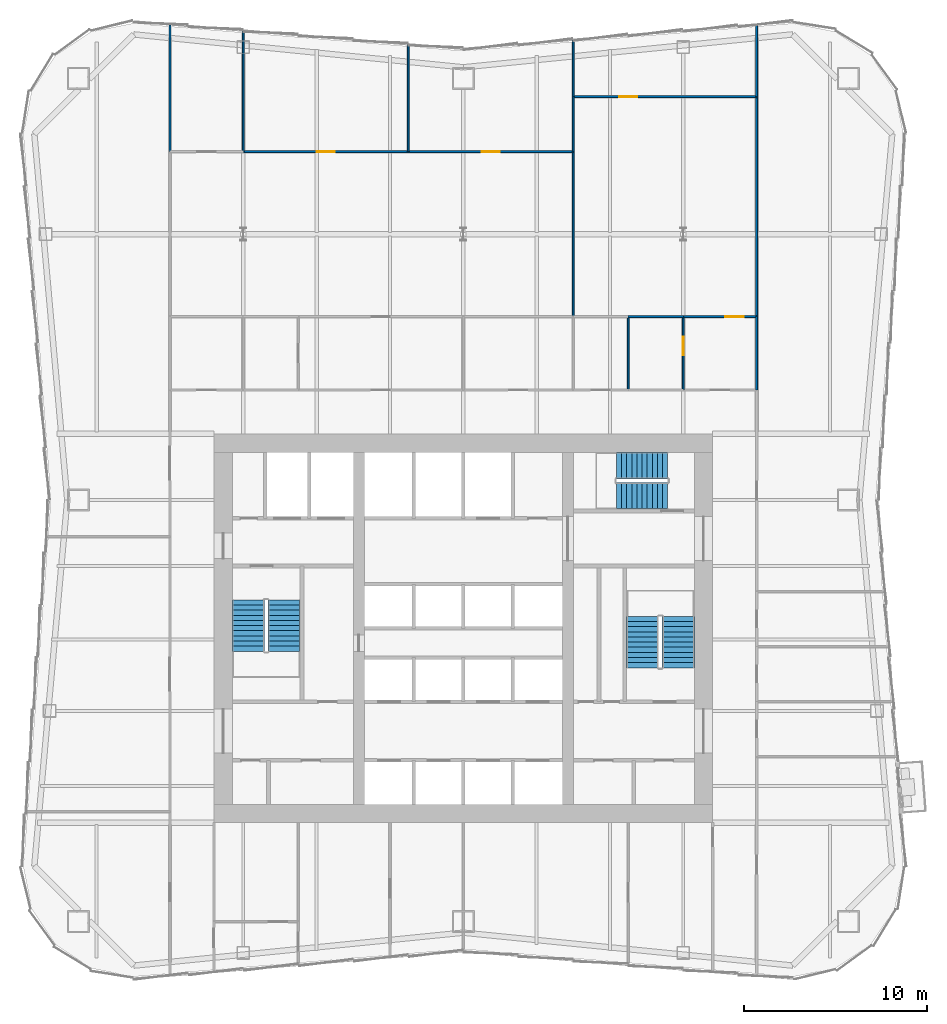
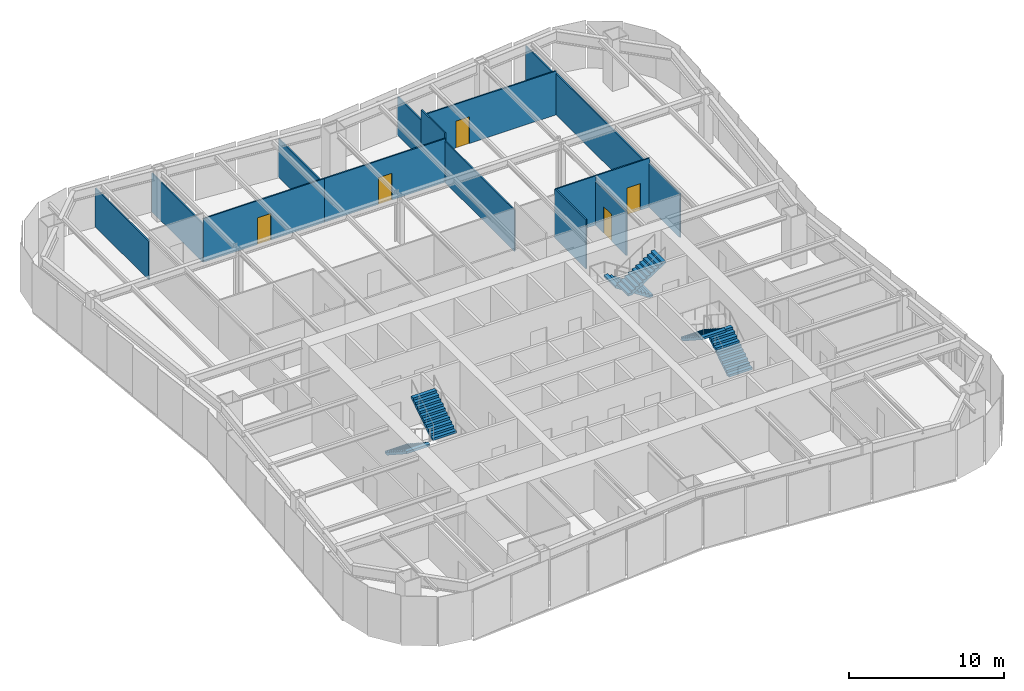
# One storey, part 7 of 9: 16 walls, 6 stair flights, 5 doors, 5 openings, 3 elements without a shape of their own.
"""IFC4 building model written with IfcOpenShell, lengths in metres."""

import ifcopenshell
import ifcopenshell.guid

model = None  # the IFC model being written
_history = None  # IfcOwnerHistory: only IFC2X3 demands one
_inside = {}  # id of a spatial element -> (the spatial element, [elements in it])
_under = {}  # id of a project, library or spatial element -> (it, [spatial elements below it])
_declared = {}  # id of a project -> (the project, [libraries it declares])
_typed = {}  # id of a type object -> (the type object, [elements of that type])
_made_of = {}  # id of a material, layer set ... -> (it, [elements and type objects made of it])


def new_model(schema):
    """Start an empty IFC model of exactly this schema.

    Asked for "IFC4X3", IfcOpenShell would pick the latest addendum, in which some entities
    have other attributes; the version numbers below select the first issue.
    IFC2X3 requires an IfcOwnerHistory on every rooted entity: one is made here for all.
    """
    global model, _history
    if schema == "IFC4X3":
        model = ifcopenshell.file(schema_version=(4, 3, 0, 0))
    else:
        model = ifcopenshell.file(schema=schema)
    _inside.clear()
    _under.clear()
    _declared.clear()
    _typed.clear()
    _made_of.clear()
    _history = None
    if model.schema == "IFC2X3":
        org = make("IfcOrganization", Name="unknown")
        user = make(
            "IfcPersonAndOrganization",
            ThePerson=make("IfcPerson", FamilyName="unknown"),
            TheOrganization=org,
        )
        app = make(
            "IfcApplication",
            ApplicationDeveloper=org,
            Version="unknown",
            ApplicationFullName="unknown",
            ApplicationIdentifier="unknown",
        )
        _history = make(
            "IfcOwnerHistory",
            OwningUser=user,
            OwningApplication=app,
            ChangeAction="ADDED",
            CreationDate=0,
        )
    return model


def make(cls, **values):
    """One entity of the class cls with the attributes given. An attribute that is None is left unset."""
    return model.create_entity(
        cls, **{name: value for name, value in values.items() if value is not None}
    )


def rooted(cls, **values):
    """An entity with a GlobalId (a new one), such as an element, a storey or a relation."""
    return make(cls, GlobalId=ifcopenshell.guid.new(), OwnerHistory=_history, **values)


def si_unit(unit_type, name, prefix=None):
    """IfcSIUnit, for example si_unit("LENGTHUNIT", "METRE", prefix="MILLI")."""
    return make("IfcSIUnit", UnitType=unit_type, Prefix=prefix, Name=name)


def assignment(units):
    """IfcUnitAssignment: the units of a project."""
    return None if units is None else make("IfcUnitAssignment", Units=units)


def point(xyz):
    """IfcCartesianPoint."""
    return None if xyz is None else make("IfcCartesianPoint", Coordinates=xyz)


def direction(xyz):
    """IfcDirection."""
    return None if xyz is None else make("IfcDirection", DirectionRatios=xyz)


def frame(location, z_axis=None, x_axis=None):
    """IfcAxis2Placement3D, a coordinate frame: its origin and axes. An axis left out is left unset."""
    return make(
        "IfcAxis2Placement3D",
        Location=point(location),
        Axis=direction(z_axis),
        RefDirection=direction(x_axis),
    )


def frame_2d(location, x_axis=None):
    """IfcAxis2Placement2D, a coordinate frame in the plane: its origin and x axis."""
    return make(
        "IfcAxis2Placement2D", Location=point(location), RefDirection=direction(x_axis)
    )


def origin():
    """The frame at (0, 0, 0) with its axes left unset."""
    return frame((0.0, 0.0, 0.0))


def place(relative_to, where):
    """IfcLocalPlacement: puts the frame where relative to a parent placement (None: the world)."""
    return make(
        "IfcLocalPlacement", PlacementRelTo=relative_to, RelativePlacement=where
    )


def context(
    kind, dimensions, precision=None, world=None, true_north=None, identifier=None
):
    """IfcGeometricRepresentationContext, for example the 3D "Model" context."""
    return make(
        "IfcGeometricRepresentationContext",
        ContextIdentifier=identifier,
        ContextType=kind,
        CoordinateSpaceDimension=dimensions,
        Precision=precision,
        WorldCoordinateSystem=world,
        TrueNorth=true_north,
    )


def subcontext(parent, identifier, kind, view, scale=None):
    """IfcGeometricRepresentationSubContext, for example "Body" below "Model"."""
    return make(
        "IfcGeometricRepresentationSubContext",
        ContextIdentifier=identifier,
        ContextType=kind,
        ParentContext=parent,
        TargetScale=scale,
        TargetView=view,
    )


def project(units=None, contexts=None):
    """IfcProject with its units and contexts."""
    return rooted(
        "IfcProject",
        Name="project",
        RepresentationContexts=contexts,
        UnitsInContext=assignment(units),
    )


def spatial(cls, under=None, at=None, **own):
    """A site, building, storey or space (cls), placed at a placement, below another one or the project."""
    s = rooted(cls, ObjectPlacement=at, **own)
    if under is not None:
        _under.setdefault(under.id(), (under, []))[1].append(s)
    return s


def polyline(points):
    """IfcPolyline through the points."""
    return make("IfcPolyline", Points=[point(p) for p in points])


def profile(cls, at=None, kind="AREA", **sizes):
    """A parametric profile (cls). Its sizes go by their IFC names, for example OverallWidth=200.0."""
    return make(cls, ProfileType=kind, Position=at, **sizes)


def rectangle(**sizes):
    """IfcRectangleProfileDef."""
    return profile("IfcRectangleProfileDef", **sizes)


def outline(outer, holes=None, kind="AREA"):
    """IfcArbitraryClosedProfileDef: a profile drawn as a closed curve; with holes, ...WithVoids."""
    if holes is None:
        return make("IfcArbitraryClosedProfileDef", ProfileType=kind, OuterCurve=outer)
    return make(
        "IfcArbitraryProfileDefWithVoids",
        ProfileType=kind,
        OuterCurve=outer,
        InnerCurves=holes,
    )


def extrude(swept, where, along, depth):
    """IfcExtrudedAreaSolid: the profile swept, set in the frame where, extruded along a direction by depth."""
    return make(
        "IfcExtrudedAreaSolid",
        SweptArea=swept,
        Position=where,
        ExtrudedDirection=direction(along),
        Depth=depth,
    )


def shape(context_of_items, identifier, shape_type, items):
    """IfcShapeRepresentation: the items that make up one representation, for example the "Body"."""
    return make(
        "IfcShapeRepresentation",
        ContextOfItems=context_of_items,
        RepresentationIdentifier=identifier,
        RepresentationType=shape_type,
        Items=items,
    )


def material(Name=None, Category=None):
    """IfcMaterial."""
    return make("IfcMaterial", Name=Name, Category=Category)


def layer(
    of_material, thickness, ventilated=None, Name=None, Category=None, Priority=None
):
    """IfcMaterialLayer: one layer of a wall or slab, of a material (None: an air gap)."""
    return make(
        "IfcMaterialLayer",
        Material=of_material,
        LayerThickness=thickness,
        IsVentilated=ventilated,
        Name=Name,
        Category=Category,
        Priority=Priority,
    )


def layer_set(layers, Name=None):
    """IfcMaterialLayerSet."""
    return make("IfcMaterialLayerSet", MaterialLayers=layers, LayerSetName=Name)


def made_of(thing, what):
    """Note that an element or type object is made of a material, layer set ...; save() writes the relation."""
    if what is not None:
        _made_of.setdefault(what.id(), (what, []))[1].append(thing)
    return thing


def type_object(cls, material=None, **own):
    """A type object (cls), such as IfcWallType, which elements share."""
    return made_of(rooted(cls, **own), material)


def element(
    cls,
    number,
    at=None,
    inside=None,
    cuts=None,
    type_object=None,
    material=None,
    context=None,
    identifier="Body",
    shape_type=None,
    held_by="IfcProductDefinitionShape",
    body=None,
    shapes=None,
    **own,
):
    """One element of the class cls, such as IfcWall. Its Tag is "e" and its number.

    at: its placement. inside: the storey or other place that contains it. cuts: it is an
    opening in that element (IfcRelVoidsElement). A single representation is given by context,
    identifier, shape_type and body (its items); several are given by shapes. held_by: the class
    of the entity that holds the representations. save() writes the other relations.
    """
    e = rooted(cls, Tag="e%d" % number, ObjectPlacement=at, **own)
    if body is not None:
        shapes = [shape(context, identifier, shape_type, body)]
    if shapes is not None:
        e.Representation = make(held_by, Representations=shapes)
    if inside is not None:
        _inside.setdefault(inside.id(), (inside, []))[1].append(e)
    if cuts is not None:
        rooted(
            "IfcRelVoidsElement", RelatingBuildingElement=cuts, RelatedOpeningElement=e
        )
    if type_object is not None:
        _typed.setdefault(type_object.id(), (type_object, []))[1].append(e)
    return made_of(e, material)


def fill(opening, filler):
    """IfcRelFillsElement: the door or window that sits in an opening."""
    return rooted(
        "IfcRelFillsElement",
        RelatingOpeningElement=opening,
        RelatedBuildingElement=filler,
    )


def aggregate(whole, parts):
    """IfcRelAggregates: a whole, such as a stair, and the parts it consists of."""
    return rooted("IfcRelAggregates", RelatingObject=whole, RelatedObjects=parts)


def save(model, path):
    """Write the relations noted so far, then the file.

    IfcRelAggregates (storeys below a building ...), IfcRelContainedInSpatialStructure (elements
    in a storey), IfcRelDefinesByType, IfcRelAssociatesMaterial and IfcRelDeclares: one each for
    every whole, place, type object, material and project.
    """
    for whole, parts in _under.values():
        aggregate(whole, parts)
    for where, things in _inside.values():
        rooted(
            "IfcRelContainedInSpatialStructure",
            RelatedElements=things,
            RelatingStructure=where,
        )
    for kind, things in _typed.values():
        rooted("IfcRelDefinesByType", RelatedObjects=things, RelatingType=kind)
    for what, things in _made_of.values():
        rooted("IfcRelAssociatesMaterial", RelatedObjects=things, RelatingMaterial=what)
    for by, libraries in _declared.values():
        rooted("IfcRelDeclares", RelatingContext=by, RelatedDefinitions=libraries)
    model.write(path)


model = new_model("IFC4")

# Units and contexts
model_context = context("Model", 3, precision=1e-05, world=origin(), true_north=direction((0.0, 1.0)))
body_context = subcontext(model_context, "Body", "Model", "MODEL_VIEW")
ifc_project = project(units=[si_unit("LENGTHUNIT", "METRE"), si_unit("AREAUNIT", "SQUARE_METRE"), si_unit("VOLUMEUNIT", "CUBIC_METRE"), si_unit("PLANEANGLEUNIT", "RADIAN"), si_unit("MASSUNIT", "GRAM", prefix="KILO")], contexts=[model_context])

# Site, building, storey
site_placement = place(None, origin())
site = spatial("IfcSite", under=ifc_project, at=site_placement, CompositionType="ELEMENT")
building_placement = place(site_placement, origin())
building = spatial("IfcBuilding", under=site, at=building_placement, Name="Verdant Reach Tower", CompositionType="ELEMENT")
storey_placement = place(building_placement, frame((0.0, 0.0, 142.0)))
storey = spatial("IfcBuildingStorey", under=building, at=storey_placement, Name="L32", CompositionType="ELEMENT", Elevation=142.0)

# Walls
ifc_material_1 = material(Name="Gypsum board on steel studs", Category="steel")
ifc_layer = layer(ifc_material_1, 0.10009765625)
ifc_layer_set = layer_set([ifc_layer], Name="FL-W1 Partition 100")
wall_type = type_object("IfcWallType", Name="FL-W1 Partition 100", PredefinedType="PARTITIONING", material=ifc_layer_set)
wall_1_placement = place(storey_placement, frame((-16.0, 54.0, 0.0), z_axis=(0.0, 0.0, 1.0), x_axis=(0.0, 1.0, 0.0)))
element("IfcWall", 1, at=wall_1_placement, inside=storey, type_object=wall_type, Name="Partition 32.23", PredefinedType="PARTITIONING", context=body_context, shape_type="SweptSolid", body=[
    extrude(rectangle(XDim=6.913330078125, YDim=0.10009765625, at=frame_2d((3.45654296875, 0.0))), origin(), (0.0, 0.0, 1.0), 3.0400390625),
])
wall_2_placement = place(storey_placement, frame((16.0, 45.0, 0.0), z_axis=(0.0, 0.0, 1.0), x_axis=(0.0, -1.0, 0.0)))
element("IfcWall", 2, at=wall_2_placement, inside=storey, type_object=wall_type, Name="Partition 32.28", PredefinedType="PARTITIONING", context=body_context, shape_type="SweptSolid", body=[
    extrude(rectangle(XDim=4.0, YDim=0.10009765625, at=frame_2d((2.0, 0.0))), origin(), (0.0, 0.0, 1.0), 3.43994140625),
])
wall_3_placement = place(storey_placement, frame((16.0, 57.0, 0.0), z_axis=(0.0, 0.0, 1.0), x_axis=(0.0, -1.0, 0.0)))
element("IfcWall", 3, at=wall_3_placement, inside=storey, type_object=wall_type, Name="Partition 32.29", PredefinedType="PARTITIONING", context=body_context, shape_type="SweptSolid", body=[
    extrude(rectangle(XDim=12.0, YDim=0.10009765625, at=frame_2d((6.0, 0.0))), origin(), (0.0, 0.0, 1.0), 3.239990234375),
])
wall_4_placement = place(storey_placement, frame((16.0, 60.913330078125, 0.0), z_axis=(0.0, 0.0, 1.0), x_axis=(0.0, -1.0, 0.0)))
element("IfcWall", 4, at=wall_4_placement, inside=storey, type_object=wall_type, Name="Partition 32.30", PredefinedType="PARTITIONING", context=body_context, shape_type="SweptSolid", body=[
    extrude(rectangle(XDim=3.913330078125, YDim=0.10009765625, at=frame_2d((1.95654296875, 0.0))), origin(), (0.0, 0.0, 1.0), 3.0400390625),
])

# Wall, opening, door
wall_5_placement = place(storey_placement, frame((-12.0, 54.0, 0.0), z_axis=(0.0, 0.0, 1.0), x_axis=(1.0, 0.0, 0.0)))
wall_5 = element("IfcWall", 5, at=wall_5_placement, inside=storey, type_object=wall_type, Name="Partition 32.46", PredefinedType="PARTITIONING", context=body_context, shape_type="SweptSolid", body=[
    extrude(rectangle(XDim=9.0, YDim=0.10009765625, at=frame_2d((4.5, 0.0))), origin(), (0.0, 0.0, 1.0), 3.43994140625),
])
opening_1_placement = place(wall_5_placement, frame((4.0, 0.0, 0.0)))
opening_1 = element("IfcOpeningElement", 6, at=opening_1_placement, cuts=wall_5, Name="Opening D3", PredefinedType="OPENING", context=body_context, shape_type="SweptSolid", body=[
    extrude(rectangle(XDim=1.0, YDim=2.10009765625, at=frame_2d((0.5, 1.050048828125))), frame((0.0, 0.06005859375, 0.0), z_axis=(0.0, -1.0, 0.0), x_axis=(1.0, 0.0, 0.0)), (0.0, 0.0, 1.0), 0.1201171875),
])
ifc_material_2 = material(Name="Painted timber door leaf", Category="wood")
door_type = type_object("IfcDoorType", Name="FL-D3 Door 1000x2100", OperationType="NOTDEFINED", PredefinedType="DOOR", material=ifc_material_2)
door_1_placement = place(opening_1_placement, origin())
door_1 = element("IfcDoor", 7, at=door_1_placement, inside=storey, type_object=door_type, Name="Door 32-023", OperationType="SINGLE_SWING_LEFT", OverallHeight=2.10009765625, OverallWidth=1.0, PredefinedType="DOOR", context=body_context, shape_type="SweptSolid", body=[
    extrude(rectangle(XDim=1.0, YDim=2.10009765625, at=frame_2d((0.5, 1.050048828125))), frame((0.0, 0.02490234375, 0.0), z_axis=(0.0, -1.0, 0.0), x_axis=(1.0, 0.0, 0.0)), (0.0, 0.0, 1.0), 0.050048828125),
])
fill(opening_1, door_1)

wall_6_placement = place(storey_placement, frame((-3.0, 54.0, 0.0), z_axis=(0.0, 0.0, 1.0), x_axis=(1.0, 0.0, 0.0)))
wall_6 = element("IfcWall", 8, at=wall_6_placement, inside=storey, type_object=wall_type, Name="Partition 32.47", PredefinedType="PARTITIONING", context=body_context, shape_type="SweptSolid", body=[
    extrude(rectangle(XDim=9.0, YDim=0.10009765625, at=frame_2d((4.5, 0.0))), origin(), (0.0, 0.0, 1.0), 3.43994140625),
])
opening_2_placement = place(wall_6_placement, frame((4.0, 0.0, 0.0)))
opening_2 = element("IfcOpeningElement", 9, at=opening_2_placement, cuts=wall_6, Name="Opening D3", PredefinedType="OPENING", context=body_context, shape_type="SweptSolid", body=[
    extrude(rectangle(XDim=1.0, YDim=2.10009765625, at=frame_2d((0.5, 1.050048828125))), frame((0.0, 0.06005859375, 0.0), z_axis=(0.0, -1.0, 0.0), x_axis=(1.0, 0.0, 0.0)), (0.0, 0.0, 1.0), 0.1201171875),
])
door_2_placement = place(opening_2_placement, origin())
door_2 = element("IfcDoor", 10, at=door_2_placement, inside=storey, type_object=door_type, Name="Door 32-024", OperationType="SINGLE_SWING_RIGHT", OverallHeight=2.10009765625, OverallWidth=1.0, PredefinedType="DOOR", context=body_context, shape_type="SweptSolid", body=[
    extrude(rectangle(XDim=1.0, YDim=2.10009765625, at=frame_2d((0.5, 1.050048828125))), frame((0.0, 0.02490234375, 0.0), z_axis=(0.0, -1.0, 0.0), x_axis=(1.0, 0.0, 0.0)), (0.0, 0.0, 1.0), 0.050048828125),
])
fill(opening_2, door_2)

# Walls
wall_7_placement = place(storey_placement, frame((6.0, 45.0, 0.0), z_axis=(0.0, 0.0, 1.0), x_axis=(0.0, 1.0, 0.0)))
element("IfcWall", 11, at=wall_7_placement, inside=storey, type_object=wall_type, Name="Partition 32.48", PredefinedType="PARTITIONING", context=body_context, shape_type="SweptSolid", body=[
    extrude(rectangle(XDim=9.00390625, YDim=0.10009765625, at=frame_2d((4.501953125, 0.0))), origin(), (0.0, 0.0, 1.0), 3.239990234375),
])
wall_8_placement = place(storey_placement, frame((-12.0, 54.0, 0.0), z_axis=(0.0, 0.0, 1.0), x_axis=(0.0, 1.0, 0.0)))
element("IfcWall", 12, at=wall_8_placement, inside=storey, type_object=wall_type, Name="Partition 32.49", PredefinedType="PARTITIONING", context=body_context, shape_type="SweptSolid", body=[
    extrude(rectangle(XDim=6.580078125, YDim=0.10009765625, at=frame_2d((3.2900390625, 0.0))), origin(), (0.0, 0.0, 1.0), 3.0400390625),
])
wall_9_placement = place(storey_placement, frame((-3.0, 54.0, 0.0), z_axis=(0.0, 0.0, 1.0), x_axis=(0.0, 1.0, 0.0)))
element("IfcWall", 13, at=wall_9_placement, inside=storey, type_object=wall_type, Name="Partition 32.50", PredefinedType="PARTITIONING", context=body_context, shape_type="SweptSolid", body=[
    extrude(rectangle(XDim=5.830078125, YDim=0.10009765625, at=frame_2d((2.9150390625, 0.0))), origin(), (0.0, 0.0, 1.0), 3.0400390625),
])
wall_10_placement = place(storey_placement, frame((6.0, 53.99609375, 0.0), z_axis=(0.0, 0.0, 1.0), x_axis=(0.0, 1.0, 0.0)))
element("IfcWall", 14, at=wall_10_placement, inside=storey, type_object=wall_type, Name="Partition 32.51", PredefinedType="PARTITIONING", context=body_context, shape_type="SweptSolid", body=[
    extrude(rectangle(XDim=3.00390625, YDim=0.10009765625, at=frame_2d((1.501953125, 0.0))), origin(), (0.0, 0.0, 1.0), 3.8701171875),
])
wall_11_placement = place(storey_placement, frame((6.0, 57.0, 0.0), z_axis=(0.0, 0.0, 1.0), x_axis=(0.0, 1.0, 0.0)))
element("IfcWall", 15, at=wall_11_placement, inside=storey, type_object=wall_type, Name="Partition 32.52", PredefinedType="PARTITIONING", context=body_context, shape_type="SweptSolid", body=[
    extrude(rectangle(XDim=3.080078125, YDim=0.10009765625, at=frame_2d((1.5400390625, 0.0))), origin(), (0.0, 0.0, 1.0), 3.0400390625),
])
wall_12_placement = place(storey_placement, frame((9.0, 41.0, 0.0), z_axis=(0.0, 0.0, 1.0), x_axis=(0.0, 1.0, 0.0)))
element("IfcWall", 16, at=wall_12_placement, inside=storey, type_object=wall_type, Name="Partition 32.53", PredefinedType="PARTITIONING", context=body_context, shape_type="SweptSolid", body=[
    extrude(rectangle(XDim=4.0, YDim=0.10009765625, at=frame_2d((2.0, 0.0))), origin(), (0.0, 0.0, 1.0), 3.8701171875),
])

# Wall, opening, door
wall_13_placement = place(storey_placement, frame((12.0, 41.0, 0.0), z_axis=(0.0, 0.0, 1.0), x_axis=(0.0, 1.0, 0.0)))
wall_13 = element("IfcWall", 17, at=wall_13_placement, inside=storey, type_object=wall_type, Name="Partition 32.55", PredefinedType="PARTITIONING", context=body_context, shape_type="SweptSolid", body=[
    extrude(rectangle(XDim=4.0, YDim=0.10009765625, at=frame_2d((2.0, 0.0))), origin(), (0.0, 0.0, 1.0), 3.43994140625),
])
opening_3_placement = place(wall_13_placement, frame((1.89990234375, 0.0, 0.0)))
opening_3 = element("IfcOpeningElement", 18, at=opening_3_placement, cuts=wall_13, Name="Opening D3", PredefinedType="OPENING", context=body_context, shape_type="SweptSolid", body=[
    extrude(rectangle(XDim=1.0, YDim=2.10009765625, at=frame_2d((0.5, 1.050048828125))), frame((0.0, 0.06005859375, 0.0), z_axis=(0.0, -1.0, 0.0), x_axis=(1.0, 0.0, 0.0)), (0.0, 0.0, 1.0), 0.1201171875),
])
door_3_placement = place(opening_3_placement, origin())
door_3 = element("IfcDoor", 19, at=door_3_placement, inside=storey, type_object=door_type, Name="Door 32-025", OperationType="SINGLE_SWING_RIGHT", OverallHeight=2.10009765625, OverallWidth=1.0, PredefinedType="DOOR", context=body_context, shape_type="SweptSolid", body=[
    extrude(rectangle(XDim=1.0, YDim=2.10009765625, at=frame_2d((0.5, 1.050048828125))), frame((0.0, 0.02490234375, 0.0), z_axis=(0.0, -1.0, 0.0), x_axis=(1.0, 0.0, 0.0)), (0.0, 0.0, 1.0), 0.050048828125),
])
fill(opening_3, door_3)

# Wall
wall_14_placement = place(storey_placement, frame((12.00390625, 45.0, 0.0), z_axis=(0.0, 0.0, 1.0), x_axis=(-1.0, 0.0, 0.0)))
element("IfcWall", 20, at=wall_14_placement, inside=storey, type_object=wall_type, Name="Partition 32.56", PredefinedType="PARTITIONING", context=body_context, shape_type="SweptSolid", body=[
    extrude(rectangle(XDim=3.0078125, YDim=0.10009765625, at=frame_2d((1.50390625, 0.0))), origin(), (0.0, 0.0, 1.0), 3.8701171875),
])

# Wall, opening, door
wall_15_placement = place(storey_placement, frame((11.99609375, 45.0, 0.0), z_axis=(0.0, 0.0, 1.0), x_axis=(1.0, 0.0, 0.0)))
wall_15 = element("IfcWall", 21, at=wall_15_placement, inside=storey, type_object=wall_type, Name="Partition 32.57", PredefinedType="PARTITIONING", context=body_context, shape_type="SweptSolid", body=[
    extrude(rectangle(XDim=4.00390625, YDim=0.10009765625, at=frame_2d((2.001953125, 0.0))), origin(), (0.0, 0.0, 1.0), 3.8701171875),
])
opening_4_placement = place(wall_15_placement, frame((2.302001953125, 0.0, 0.0)))
opening_4 = element("IfcOpeningElement", 22, at=opening_4_placement, cuts=wall_15, Name="Opening D3", PredefinedType="OPENING", context=body_context, shape_type="SweptSolid", body=[
    extrude(rectangle(XDim=1.0, YDim=2.10009765625, at=frame_2d((0.5, 1.050048828125))), frame((0.0, 0.06005859375, 0.0), z_axis=(0.0, -1.0, 0.0), x_axis=(1.0, 0.0, 0.0)), (0.0, 0.0, 1.0), 0.1201171875),
])
door_4_placement = place(opening_4_placement, origin())
door_4 = element("IfcDoor", 23, at=door_4_placement, inside=storey, type_object=door_type, Name="Door 32-026", OperationType="SINGLE_SWING_RIGHT", OverallHeight=2.10009765625, OverallWidth=1.0, PredefinedType="DOOR", context=body_context, shape_type="SweptSolid", body=[
    extrude(rectangle(XDim=1.0, YDim=2.10009765625, at=frame_2d((0.5, 1.050048828125))), frame((0.0, 0.02490234375, 0.0), z_axis=(0.0, -1.0, 0.0), x_axis=(1.0, 0.0, 0.0)), (0.0, 0.0, 1.0), 0.050048828125),
])
fill(opening_4, door_4)

wall_16_placement = place(storey_placement, frame((6.0, 57.0, 0.0), z_axis=(0.0, 0.0, 1.0), x_axis=(1.0, 0.0, 0.0)))
wall_16 = element("IfcWall", 24, at=wall_16_placement, inside=storey, type_object=wall_type, Name="Partition 32.58", PredefinedType="PARTITIONING", context=body_context, shape_type="SweptSolid", body=[
    extrude(rectangle(XDim=10.0, YDim=0.10009765625, at=frame_2d((5.0, 0.0))), origin(), (0.0, 0.0, 1.0), 3.43994140625),
])
opening_5_placement = place(wall_16_placement, frame((2.5, 0.0, 0.0)))
opening_5 = element("IfcOpeningElement", 25, at=opening_5_placement, cuts=wall_16, Name="Opening D3", PredefinedType="OPENING", context=body_context, shape_type="SweptSolid", body=[
    extrude(rectangle(XDim=1.0, YDim=2.10009765625, at=frame_2d((0.5, 1.050048828125))), frame((0.0, 0.06005859375, 0.0), z_axis=(0.0, -1.0, 0.0), x_axis=(1.0, 0.0, 0.0)), (0.0, 0.0, 1.0), 0.1201171875),
])
door_5_placement = place(opening_5_placement, origin())
door_5 = element("IfcDoor", 26, at=door_5_placement, inside=storey, type_object=door_type, Name="Door 32-027", OperationType="SINGLE_SWING_LEFT", OverallHeight=2.10009765625, OverallWidth=1.0, PredefinedType="DOOR", context=body_context, shape_type="SweptSolid", body=[
    extrude(rectangle(XDim=1.0, YDim=2.10009765625, at=frame_2d((0.5, 1.050048828125))), frame((0.0, 0.02490234375, 0.0), z_axis=(0.0, -1.0, 0.0), x_axis=(1.0, 0.0, 0.0)), (0.0, 0.0, 1.0), 0.050048828125),
])
fill(opening_5, door_5)

# Stair, stair flights
ifc_material_3 = material(Name="Concrete C40/50", Category="concrete")
stair_type = type_object("IfcStairType", Name="CO-STAIR", PredefinedType="HALF_TURN_STAIR", material=ifc_material_3)
stair_1_placement = place(storey_placement, origin())
stair_1 = element("IfcStair", 27, at=stair_1_placement, inside=storey, type_object=stair_type, Name="L32 Exit stair 1", PredefinedType="HALF_TURN_STAIR")
stair_flight_type = type_object("IfcStairFlightType", Name="CO-STAIR-FLIGHT", PredefinedType="STRAIGHT", material=ifc_material_3)
stair_flight_1_placement = place(storey_placement, frame((-11.72509765625, 29.550048828125, 0.0), z_axis=(0.0, 0.0, 1.0), x_axis=(0.0, -1.0, 0.0)))
stair_flight_1 = element("IfcStairFlight", 28, at=stair_flight_1_placement, type_object=stair_flight_type, Name="ST-1 flight 1", NumberOfRisers=11, NumberOfTreads=10, PredefinedType="STRAIGHT", RiserHeight=0.181818182, TreadLength=0.28, context=body_context, shape_type="SweptSolid", body=[
    extrude(outline(polyline([(0.0, 0.0), (0.0, 0.181884765625), (0.280029296875, 0.181884765625), (0.280029296875, 0.363525390625), (0.56005859375, 0.363525390625), (0.56005859375, 0.54541015625), (0.840087890625, 0.54541015625), (0.840087890625, 0.727294921875), (1.1201171875, 0.727294921875), (1.1201171875, 0.9091796875), (1.39990234375, 0.9091796875), (1.39990234375, 1.0908203125), (1.679931640625, 1.0908203125), (1.679931640625, 1.272705078125), (1.9599609375, 1.272705078125), (1.9599609375, 1.45458984375), (2.239990234375, 1.45458984375), (2.239990234375, 1.636474609375), (2.52001953125, 1.636474609375), (2.52001953125, 1.818115234375), (2.800048828125, 1.818115234375), (2.800048828125, 2.0), (2.800048828125, 1.639404296875), (0.275146484375, 0.0), (0.0, 0.0)])), frame((0.0, 0.875, 0.0), z_axis=(0.0, -1.0, 0.0), x_axis=(1.0, 0.0, 0.0)), (0.0, 0.0, 1.0), 1.75),
])
stair_flight_2_placement = place(storey_placement, frame((-9.77490234375, 26.75, 2.0), z_axis=(0.0, 0.0, 1.0), x_axis=(0.0, 1.0, 0.0)))
stair_flight_2 = element("IfcStairFlight", 29, at=stair_flight_2_placement, type_object=stair_flight_type, Name="ST-1 flight 2", NumberOfRisers=11, NumberOfTreads=10, PredefinedType="STRAIGHT", RiserHeight=0.181818182, TreadLength=0.28, context=body_context, shape_type="SweptSolid", body=[
    extrude(outline(polyline([(0.0, 0.0), (0.0, 0.181884765625), (0.280029296875, 0.181884765625), (0.280029296875, 0.363525390625), (0.56005859375, 0.363525390625), (0.56005859375, 0.54541015625), (0.840087890625, 0.54541015625), (0.840087890625, 0.727294921875), (1.1201171875, 0.727294921875), (1.1201171875, 0.9091796875), (1.39990234375, 0.9091796875), (1.39990234375, 1.0908203125), (1.679931640625, 1.0908203125), (1.679931640625, 1.272705078125), (1.9599609375, 1.272705078125), (1.9599609375, 1.45458984375), (2.239990234375, 1.45458984375), (2.239990234375, 1.636474609375), (2.52001953125, 1.636474609375), (2.52001953125, 1.818115234375), (2.800048828125, 1.818115234375), (2.800048828125, 2.0), (2.800048828125, 1.639404296875), (0.275146484375, 0.0), (0.0, 0.0)])), frame((0.0, 0.875, 0.0), z_axis=(0.0, -1.0, 0.0), x_axis=(1.0, 0.0, 0.0)), (0.0, 0.0, 1.0), 1.75),
])
aggregate(stair_1, [stair_flight_1, stair_flight_2])

stair_2_placement = place(storey_placement, origin())
stair_2 = element("IfcStair", 30, at=stair_2_placement, inside=storey, type_object=stair_type, Name="L32 Exit stair 2", PredefinedType="HALF_TURN_STAIR")
stair_flight_3_placement = place(storey_placement, frame((11.72509765625, 25.85009765625, 0.0), z_axis=(0.0, 0.0, 1.0), x_axis=(0.0, 1.0, 0.0)))
stair_flight_3 = element("IfcStairFlight", 31, at=stair_flight_3_placement, type_object=stair_flight_type, Name="ST-2 flight 1", NumberOfRisers=11, NumberOfTreads=10, PredefinedType="STRAIGHT", RiserHeight=0.181818182, TreadLength=0.28, context=body_context, shape_type="SweptSolid", body=[
    extrude(outline(polyline([(0.0, 0.0), (0.0, 0.181884765625), (0.280029296875, 0.181884765625), (0.280029296875, 0.363525390625), (0.56005859375, 0.363525390625), (0.56005859375, 0.54541015625), (0.840087890625, 0.54541015625), (0.840087890625, 0.727294921875), (1.1201171875, 0.727294921875), (1.1201171875, 0.9091796875), (1.39990234375, 0.9091796875), (1.39990234375, 1.0908203125), (1.679931640625, 1.0908203125), (1.679931640625, 1.272705078125), (1.9599609375, 1.272705078125), (1.9599609375, 1.45458984375), (2.239990234375, 1.45458984375), (2.239990234375, 1.636474609375), (2.52001953125, 1.636474609375), (2.52001953125, 1.818115234375), (2.800048828125, 1.818115234375), (2.800048828125, 2.0), (2.800048828125, 1.639404296875), (0.275146484375, 0.0), (0.0, 0.0)])), frame((0.0, 0.875, 0.0), z_axis=(0.0, -1.0, 0.0), x_axis=(1.0, 0.0, 0.0)), (0.0, 0.0, 1.0), 1.75),
])
stair_flight_4_placement = place(storey_placement, frame((9.77490234375, 28.64990234375, 2.0), z_axis=(0.0, 0.0, 1.0), x_axis=(0.0, -1.0, 0.0)))
stair_flight_4 = element("IfcStairFlight", 32, at=stair_flight_4_placement, type_object=stair_flight_type, Name="ST-2 flight 2", NumberOfRisers=11, NumberOfTreads=10, PredefinedType="STRAIGHT", RiserHeight=0.181818182, TreadLength=0.28, context=body_context, shape_type="SweptSolid", body=[
    extrude(outline(polyline([(0.0, 0.0), (0.0, 0.181884765625), (0.280029296875, 0.181884765625), (0.280029296875, 0.363525390625), (0.56005859375, 0.363525390625), (0.56005859375, 0.54541015625), (0.840087890625, 0.54541015625), (0.840087890625, 0.727294921875), (1.1201171875, 0.727294921875), (1.1201171875, 0.9091796875), (1.39990234375, 0.9091796875), (1.39990234375, 1.0908203125), (1.679931640625, 1.0908203125), (1.679931640625, 1.272705078125), (1.9599609375, 1.272705078125), (1.9599609375, 1.45458984375), (2.239990234375, 1.45458984375), (2.239990234375, 1.636474609375), (2.52001953125, 1.636474609375), (2.52001953125, 1.818115234375), (2.800048828125, 1.818115234375), (2.800048828125, 2.0), (2.800048828125, 1.639404296875), (0.275146484375, 0.0), (0.0, 0.0)])), frame((0.0, 0.875, 0.0), z_axis=(0.0, -1.0, 0.0), x_axis=(1.0, 0.0, 0.0)), (0.0, 0.0, 1.0), 1.75),
])
aggregate(stair_2, [stair_flight_3, stair_flight_4])

stair_3_placement = place(storey_placement, origin())
stair_3 = element("IfcStair", 33, at=stair_3_placement, inside=storey, type_object=stair_type, Name="L32 Exit stair 3", PredefinedType="HALF_TURN_STAIR")
stair_flight_5_placement = place(storey_placement, frame((11.14990234375, 36.875, 0.0), z_axis=(0.0, 0.0, 1.0), x_axis=(-1.0, 0.0, 0.0)))
stair_flight_5 = element("IfcStairFlight", 34, at=stair_flight_5_placement, type_object=stair_flight_type, Name="ST-3 flight 1", NumberOfRisers=11, NumberOfTreads=10, PredefinedType="STRAIGHT", RiserHeight=0.181818182, TreadLength=0.28, context=body_context, shape_type="SweptSolid", body=[
    extrude(outline(polyline([(0.0, 0.0), (0.0, 0.181884765625), (0.280029296875, 0.181884765625), (0.280029296875, 0.363525390625), (0.56005859375, 0.363525390625), (0.56005859375, 0.54541015625), (0.840087890625, 0.54541015625), (0.840087890625, 0.727294921875), (1.1201171875, 0.727294921875), (1.1201171875, 0.9091796875), (1.39990234375, 0.9091796875), (1.39990234375, 1.0908203125), (1.679931640625, 1.0908203125), (1.679931640625, 1.272705078125), (1.9599609375, 1.272705078125), (1.9599609375, 1.45458984375), (2.239990234375, 1.45458984375), (2.239990234375, 1.636474609375), (2.52001953125, 1.636474609375), (2.52001953125, 1.818115234375), (2.800048828125, 1.818115234375), (2.800048828125, 2.0), (2.800048828125, 1.639404296875), (0.275146484375, 0.0), (0.0, 0.0)])), frame((0.0, 0.72509765625, 0.0), z_axis=(0.0, -1.0, 0.0), x_axis=(1.0, 0.0, 0.0)), (0.0, 0.0, 1.0), 1.449951171875),
])
stair_flight_6_placement = place(storey_placement, frame((8.35009765625, 35.22509765625, 2.0), z_axis=(0.0, 0.0, 1.0), x_axis=(1.0, 0.0, 0.0)))
stair_flight_6 = element("IfcStairFlight", 35, at=stair_flight_6_placement, type_object=stair_flight_type, Name="ST-3 flight 2", NumberOfRisers=11, NumberOfTreads=10, PredefinedType="STRAIGHT", RiserHeight=0.181818182, TreadLength=0.28, context=body_context, shape_type="SweptSolid", body=[
    extrude(outline(polyline([(0.0, 0.0), (0.0, 0.181884765625), (0.280029296875, 0.181884765625), (0.280029296875, 0.363525390625), (0.56005859375, 0.363525390625), (0.56005859375, 0.54541015625), (0.840087890625, 0.54541015625), (0.840087890625, 0.727294921875), (1.1201171875, 0.727294921875), (1.1201171875, 0.9091796875), (1.39990234375, 0.9091796875), (1.39990234375, 1.0908203125), (1.679931640625, 1.0908203125), (1.679931640625, 1.272705078125), (1.9599609375, 1.272705078125), (1.9599609375, 1.45458984375), (2.239990234375, 1.45458984375), (2.239990234375, 1.636474609375), (2.52001953125, 1.636474609375), (2.52001953125, 1.818115234375), (2.800048828125, 1.818115234375), (2.800048828125, 2.0), (2.800048828125, 1.639404296875), (0.275146484375, 0.0), (0.0, 0.0)])), frame((0.0, 0.72509765625, 0.0), z_axis=(0.0, -1.0, 0.0), x_axis=(1.0, 0.0, 0.0)), (0.0, 0.0, 1.0), 1.449951171875),
])
aggregate(stair_3, [stair_flight_5, stair_flight_6])

save(model, "model.ifc")
